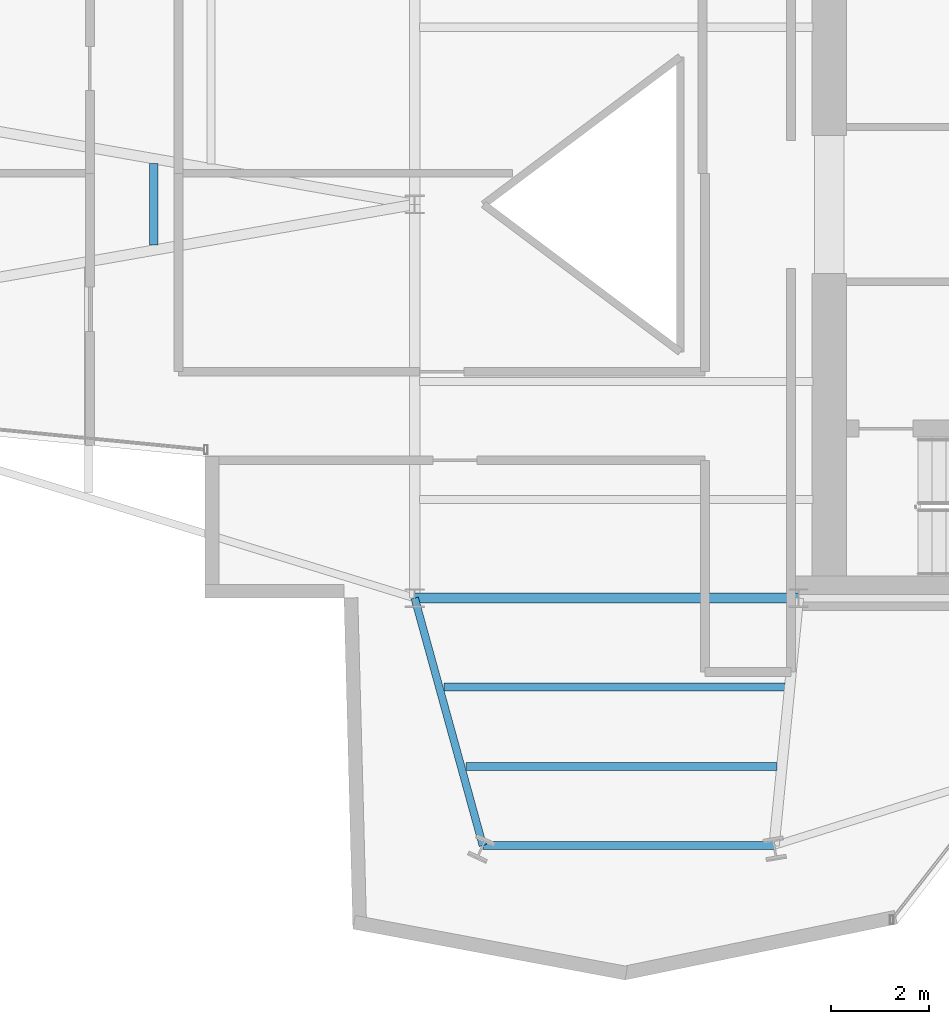
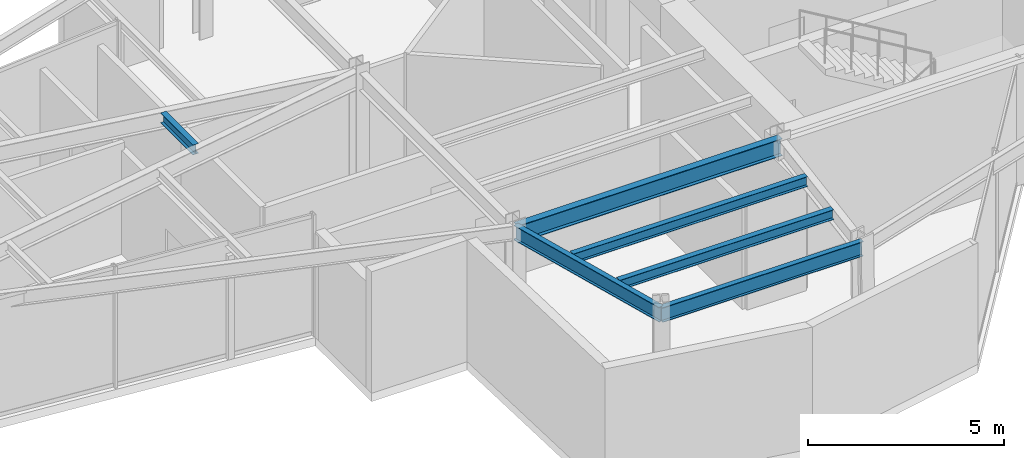
# One storey, part 5 of 20: 6 beams.
"""IFC4 building model written with IfcOpenShell, lengths in metres."""

from ifc_helpers import new_model, si_unit, direction, frame, origin, origin_2d, place, context, subcontext, project, spatial, i_section, extrude, material, material_profile, profile_set, type_object, element, save


model = new_model("IFC4")

# Units and contexts
model_context = context("Model", 3, precision=1e-05, world=origin(), true_north=direction((0.0, 1.0)))
body_context = subcontext(model_context, "Body", "Model", "MODEL_VIEW")
ifc_project = project(units=[si_unit("LENGTHUNIT", "METRE"), si_unit("AREAUNIT", "SQUARE_METRE"), si_unit("VOLUMEUNIT", "CUBIC_METRE"), si_unit("PLANEANGLEUNIT", "RADIAN"), si_unit("MASSUNIT", "GRAM", prefix="KILO")], contexts=[model_context])

# Site, building, storey
site_placement = place(None, origin())
site = spatial("IfcSite", under=ifc_project, at=site_placement, CompositionType="ELEMENT")
building_placement = place(site_placement, origin())
building = spatial("IfcBuilding", under=site, at=building_placement, Name="Veymaron Broadcast Tower", CompositionType="ELEMENT")
storey_placement = place(building_placement, frame((0.0, 0.0, 248.550048828125)))
storey = spatial("IfcBuildingStorey", under=building, at=storey_placement, Name="L58", CompositionType="ELEMENT", Elevation=248.550048828125)

# Beams
ifc_material = material(Name="Structural steel ASTM A992 Gr 50", Category="steel")
ifc_material_profile_1 = material_profile(ifc_material, i_section(OverallWidth=0.2099609375, OverallDepth=0.537109375, WebThickness=0.010986328125, FlangeThickness=0.017333984375, at=origin_2d()), Name="W530X101")
ifc_profile_set_1 = profile_set([ifc_material_profile_1], Name="Structural steel ASTM A992 Gr 50")
beam_type_1 = type_object("IfcBeamType", Name="BM-FG3", PredefinedType="BEAM", material=ifc_profile_set_1)
beam_1_placement = place(storey_placement, frame((31.199951171875, 16.0, 3.521484375), z_axis=(1.0, 0.0, 0.0), x_axis=(0.0, 1.0, 0.0)))
element("IfcBeam", 1, at=beam_1_placement, inside=storey, type_object=beam_type_1, Name="L58 primary structural floor girder", PredefinedType="BEAM", context=body_context, shape_type="SweptSolid", body=[
    extrude(i_section(OverallWidth=0.2099609375, OverallDepth=0.537109375, WebThickness=0.010986328125, FlangeThickness=0.017333984375, at=origin_2d()), origin(), (0.0, 0.0, 1.0), 7.800048828125),
])
ifc_material_profile_2 = material_profile(ifc_material, i_section(OverallWidth=0.1650390625, OverallDepth=0.31005859375, WebThickness=0.005859375, FlangeThickness=0.009765625, at=origin_2d()), Name="W310X39")
ifc_profile_set_2 = profile_set([ifc_material_profile_2], Name="Structural steel ASTM A992 Gr 50")
beam_type_2 = type_object("IfcBeamType", Name="BM-JS3", PredefinedType="JOIST", material=ifc_profile_set_2)
beam_2_placement = place(storey_placement, frame((25.89794921875, 23.17041015625, 3.635009765625), z_axis=(0.0, 1.0, 0.0), x_axis=(-1.0, 0.0, 0.0)))
element("IfcBeam", 2, at=beam_2_placement, inside=storey, type_object=beam_type_2, Name="L58 Arm-A secondary joist 2M", PredefinedType="JOIST", context=body_context, shape_type="SweptSolid", body=[
    extrude(i_section(OverallWidth=0.1650390625, OverallDepth=0.31005859375, WebThickness=0.005859375, FlangeThickness=0.009765625, at=origin_2d()), origin(), (0.0, 0.0, 1.0), 1.6591796875),
])
beam_3_placement = place(storey_placement, frame((31.799072265625, 14.189208984375, 3.635009765625), z_axis=(1.0, 0.0, 0.0), x_axis=(0.0, 1.0, 0.0)))
element("IfcBeam", 3, at=beam_3_placement, inside=storey, type_object=beam_type_2, Name="L58 Arm-C secondary joist 1", PredefinedType="JOIST", context=body_context, shape_type="SweptSolid", body=[
    extrude(i_section(OverallWidth=0.1650390625, OverallDepth=0.31005859375, WebThickness=0.005859375, FlangeThickness=0.009765625, at=origin_2d()), origin(), (0.0, 0.0, 1.0), 6.922607421875),
])
beam_4_placement = place(storey_placement, frame((32.242431640625, 12.57958984375, 3.635009765625), z_axis=(1.0, 0.0, 0.0), x_axis=(0.0, 1.0, 0.0)))
element("IfcBeam", 4, at=beam_4_placement, inside=storey, type_object=beam_type_2, Name="L58 Arm-C secondary joist 2", PredefinedType="JOIST", context=body_context, shape_type="SweptSolid", body=[
    extrude(i_section(OverallWidth=0.1650390625, OverallDepth=0.31005859375, WebThickness=0.005859375, FlangeThickness=0.009765625, at=origin_2d()), origin(), (0.0, 0.0, 1.0), 6.321044921875),
])
ifc_material_profile_3 = material_profile(ifc_material, i_section(OverallWidth=0.154052734375, OverallDepth=0.458984375, WebThickness=0.009033203125, FlangeThickness=0.015380859375, at=origin_2d()), Name="W460X68")
ifc_profile_set_3 = profile_set([ifc_material_profile_3], Name="Structural steel ASTM A992 Gr 50")
beam_type_3 = type_object("IfcBeamType", Name="BM-SP2", PredefinedType="SPANDREL", material=ifc_profile_set_3)
beam_5_placement = place(storey_placement, frame((31.199951171875, 16.0, 3.560546875), z_axis=(0.265642593914, -0.964071580485, 0.0), x_axis=(0.964071580485, 0.265642593914, 0.0)))
element("IfcBeam", 5, at=beam_5_placement, inside=storey, type_object=beam_type_3, Name="L58 primary structural floor girder", PredefinedType="SPANDREL", context=body_context, shape_type="SweptSolid", body=[
    extrude(i_section(OverallWidth=0.154052734375, OverallDepth=0.458984375, WebThickness=0.009033203125, FlangeThickness=0.015380859375, at=origin_2d()), origin(), (0.0, 0.0, 1.0), 5.217529296875),
])
beam_6_placement = place(storey_placement, frame((32.5859375, 10.969970703125, 3.560546875), z_axis=(1.0, 0.0, 0.0), x_axis=(0.0, 1.0, 0.0)))
element("IfcBeam", 6, at=beam_6_placement, inside=storey, type_object=beam_type_3, Name="L58 primary structural floor girder", PredefinedType="SPANDREL", context=body_context, shape_type="SweptSolid", body=[
    extrude(i_section(OverallWidth=0.154052734375, OverallDepth=0.458984375, WebThickness=0.009033203125, FlangeThickness=0.015380859375, at=origin_2d()), origin(), (0.0, 0.0, 1.0), 5.9189453125),
])

save(model, "model.ifc")
